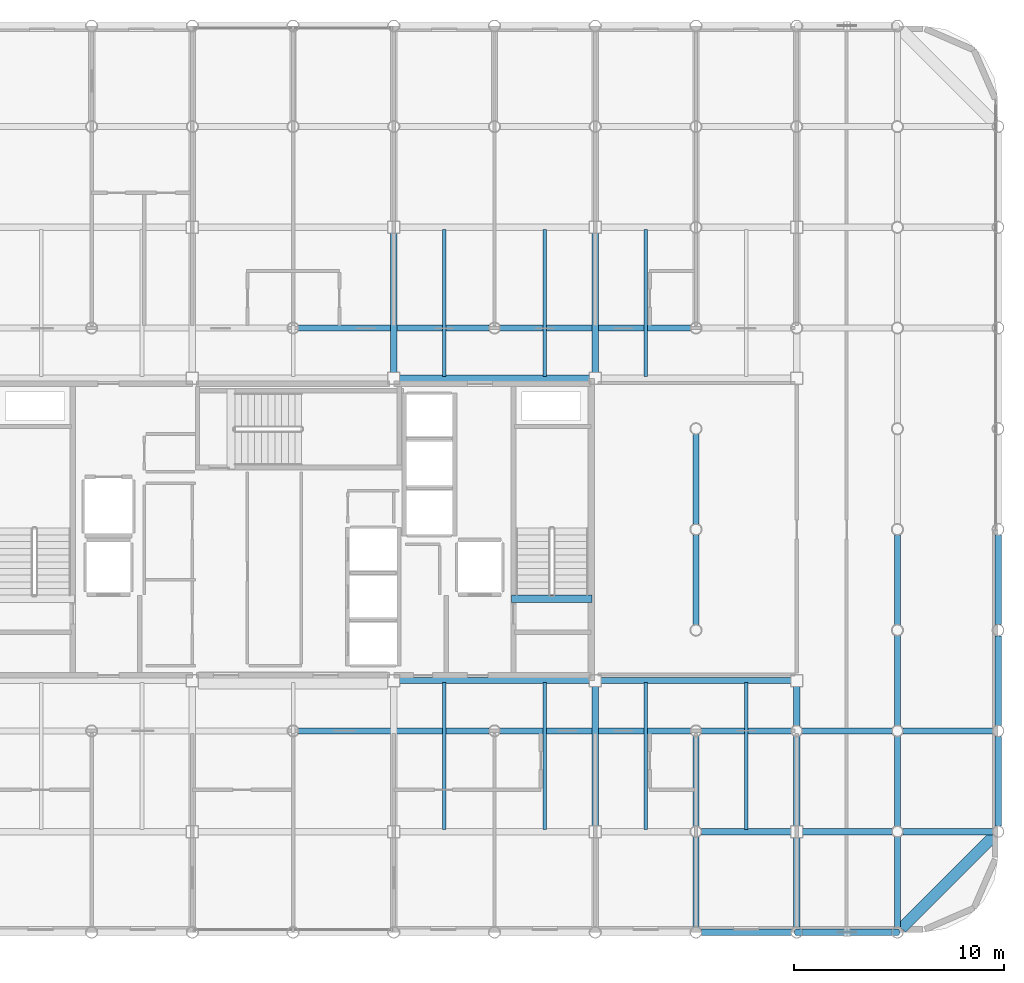
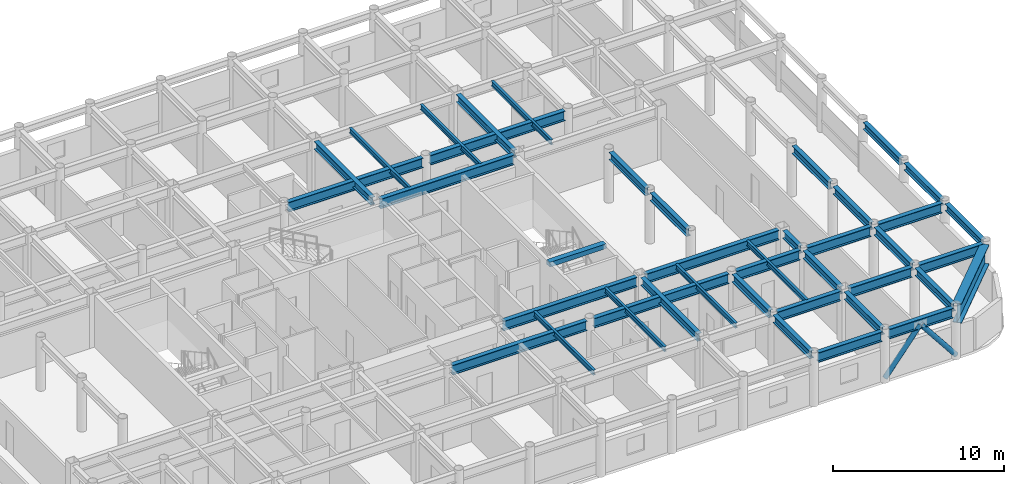
# One storey, part 9 of 23: 41 beams, 2 members.
"""IFC4 building model written with IfcOpenShell, lengths in metres."""

from ifc_helpers import new_model, si_unit, direction, frame, origin, origin_2d, place, context, subcontext, project, spatial, rectangle, hollow_circle, i_section, extrude, material, material_profile, profile_set, type_object, element, save


model = new_model("IFC4")

# Units and contexts
model_context = context("Model", 3, precision=1e-05, world=origin(), true_north=direction((0.0, 1.0)))
body_context = subcontext(model_context, "Body", "Model", "MODEL_VIEW")
ifc_project = project(units=[si_unit("LENGTHUNIT", "METRE"), si_unit("AREAUNIT", "SQUARE_METRE"), si_unit("VOLUMEUNIT", "CUBIC_METRE"), si_unit("PLANEANGLEUNIT", "RADIAN"), si_unit("MASSUNIT", "GRAM", prefix="KILO")], contexts=[model_context])

# Site, building, storey
site_placement = place(None, origin())
site = spatial("IfcSite", under=ifc_project, at=site_placement, CompositionType="ELEMENT")
building_placement = place(site_placement, origin())
building = spatial("IfcBuilding", under=site, at=building_placement, Name="Kallvorn Hotel Tower", CompositionType="ELEMENT")
storey_placement = place(building_placement, frame((0.0, 0.0, 237.699951171875)))
storey = spatial("IfcBuildingStorey", under=building, at=storey_placement, Name="L59", CompositionType="ELEMENT", Elevation=237.699951171875)

# Beams
ifc_material_1 = material(Name="Structural steel S355JR", Category="steel")
ifc_material_profile_1 = material_profile(ifc_material_1, i_section(OverallWidth=0.300048828125, OverallDepth=0.5, WebThickness=0.014404296875, FlangeThickness=0.028076171875, at=origin_2d()), Name="HE 500 B")
ifc_profile_set_1 = profile_set([ifc_material_profile_1], Name="Structural steel S355JR")
beam_type_1 = type_object("IfcBeamType", Name="BM_HE500B", PredefinedType="SPANDREL", material=ifc_profile_set_1)
beam_1_placement = place(storey_placement, frame((33.60009765625, -14.130615234375, 3.420166015625), z_axis=(0.0, 1.0, 0.0), x_axis=(-1.0, 0.0, 0.0)))
element("IfcBeam", 1, at=beam_1_placement, inside=storey, type_object=beam_type_1, Name="L60 Perimeter Spandrel 182", PredefinedType="SPANDREL", context=body_context, shape_type="SweptSolid", body=[
    extrude(i_section(OverallWidth=0.300048828125, OverallDepth=0.5, WebThickness=0.014404296875, FlangeThickness=0.028076171875, at=origin_2d()), origin(), (0.0, 0.0, 1.0), 4.26123046875),
])
for number, where, z_axis, x_axis, name in (
    (2, (33.60009765625, -9.33056640625, 3.420166015625), (0.0, 1.0, 0.0), (-1.0, 0.0, 0.0), "L60 Perimeter Spandrel 183"),
    (3, (33.60009765625, -4.530517578125, 3.420166015625), (0.0, 1.0, 0.0), (-1.0, 0.0, 0.0), "L60 Perimeter Spandrel 184"),
):
    element("IfcBeam", number, at=place(storey_placement, frame(where, z_axis=z_axis, x_axis=x_axis)), inside=storey, type_object=beam_type_1, Name=name, PredefinedType="SPANDREL", context=body_context, shape_type="SweptSolid", body=[
        extrude(i_section(OverallWidth=0.300048828125, OverallDepth=0.5, WebThickness=0.014404296875, FlangeThickness=0.028076171875, at=origin_2d()), origin(), (0.0, 0.0, 1.0), 4.260986328125),
    ])
ifc_material_2 = material(Name="Structural steel S355JR", Category="steel")
ifc_material_profile_2 = material_profile(ifc_material_2, i_section(OverallWidth=0.300048828125, OverallDepth=0.550048828125, WebThickness=0.014892578125, FlangeThickness=0.029052734375, at=origin_2d()), Name="HE 550 B")
ifc_profile_set_2 = profile_set([ifc_material_profile_2], Name="Structural steel S355JR")
beam_type_2 = type_object("IfcBeamType", Name="BM_HE550B", PredefinedType="SPANDREL", material=ifc_profile_set_2)
for number, where, z_axis, x_axis, name in (
    (4, (4.800048828125, 7.47509765625, 3.39501953125), (0.0, 1.0, 0.0), (-1.0, 0.0, 0.0), "L60 Primary Y-Girder 115"),
    (5, (14.39990234375, -14.125, 3.39501953125), (0.0, 1.0, 0.0), (-1.0, 0.0, 0.0), "L60 Primary Y-Girder 122"),
    (6, (14.39990234375, 7.47509765625, 3.39501953125), (0.0, 1.0, 0.0), (-1.0, 0.0, 0.0), "L60 Primary Y-Girder 123"),
):
    element("IfcBeam", number, at=place(storey_placement, frame(where, z_axis=z_axis, x_axis=x_axis)), inside=storey, type_object=beam_type_2, Name=name, PredefinedType="SPANDREL", context=body_context, shape_type="SweptSolid", body=[
        extrude(i_section(OverallWidth=0.300048828125, OverallDepth=0.550048828125, WebThickness=0.014892578125, FlangeThickness=0.029052734375, at=origin_2d()), origin(), (0.0, 0.0, 1.0), 6.64990234375),
    ])
for number, where, z_axis, x_axis, name in (
    (7, (19.199951171875, -18.945556640625, 3.39501953125), (0.0, 1.0, 0.0), (-1.0, 0.0, 0.0), "L60 Primary Y-Girder 126"),
    (8, (19.199951171875, -14.1455078125, 3.39501953125), (0.0, 1.0, 0.0), (-1.0, 0.0, 0.0), "L60 Primary Y-Girder 127"),
    (9, (19.199951171875, -4.54541015625, 3.39501953125), (0.0, 1.0, 0.0), (-1.0, 0.0, 0.0), "L60 Primary Y-Girder 129"),
    (10, (19.199951171875, 0.25439453125, 3.39501953125), (0.0, 1.0, 0.0), (-1.0, 0.0, 0.0), "L60 Primary Y-Girder 130"),
):
    element("IfcBeam", number, at=place(storey_placement, frame(where, z_axis=z_axis, x_axis=x_axis)), inside=storey, type_object=beam_type_2, Name=name, PredefinedType="SPANDREL", context=body_context, shape_type="SweptSolid", body=[
        extrude(i_section(OverallWidth=0.300048828125, OverallDepth=0.550048828125, WebThickness=0.014892578125, FlangeThickness=0.029052734375, at=origin_2d()), origin(), (0.0, 0.0, 1.0), 4.291015625),
    ])
for number, where, z_axis, x_axis, name in (
    (11, (24.0, -18.945556640625, 3.39501953125), (0.0, 1.0, 0.0), (-1.0, 0.0, 0.0), "L60 Primary Y-Girder 135"),
    (12, (24.0, -14.125, 3.39501953125), (0.0, 1.0, 0.0), (-1.0, 0.0, 0.0), "L60 Primary Y-Girder 136"),
):
    element("IfcBeam", number, at=place(storey_placement, frame(where, z_axis=z_axis, x_axis=x_axis)), inside=storey, type_object=beam_type_2, Name=name, PredefinedType="SPANDREL", context=body_context, shape_type="SweptSolid", body=[
        extrude(i_section(OverallWidth=0.300048828125, OverallDepth=0.550048828125, WebThickness=0.014892578125, FlangeThickness=0.029052734375, at=origin_2d()), origin(), (0.0, 0.0, 1.0), 4.2705078125),
    ])
beam_2_placement = place(storey_placement, frame((24.0, -9.345458984375, 3.39501953125), z_axis=(0.0, 1.0, 0.0), x_axis=(-1.0, 0.0, 0.0)))
element("IfcBeam", 13, at=beam_2_placement, inside=storey, type_object=beam_type_2, Name="L60 Primary Y-Girder 137", PredefinedType="SPANDREL", context=body_context, shape_type="SweptSolid", body=[
    extrude(i_section(OverallWidth=0.300048828125, OverallDepth=0.550048828125, WebThickness=0.014892578125, FlangeThickness=0.029052734375, at=origin_2d()), origin(), (0.0, 0.0, 1.0), 1.870361328125),
])
for number, where, z_axis, x_axis, name in (
    (14, (28.800048828125, -18.945556640625, 3.39501953125), (0.0, 1.0, 0.0), (-1.0, 0.0, 0.0), "L60 Primary Y-Girder 142"),
    (15, (28.800048828125, -14.1455078125, 3.39501953125), (0.0, 1.0, 0.0), (-1.0, 0.0, 0.0), "L60 Primary Y-Girder 143"),
    (16, (28.800048828125, -9.345458984375, 3.39501953125), (0.0, 1.0, 0.0), (-1.0, 0.0, 0.0), "L60 Primary Y-Girder 144"),
    (17, (28.800048828125, -4.54541015625, 3.39501953125), (0.0, 1.0, 0.0), (-1.0, 0.0, 0.0), "L60 Primary Y-Girder 145"),
):
    element("IfcBeam", number, at=place(storey_placement, frame(where, z_axis=z_axis, x_axis=x_axis)), inside=storey, type_object=beam_type_2, Name=name, PredefinedType="SPANDREL", context=body_context, shape_type="SweptSolid", body=[
        extrude(i_section(OverallWidth=0.300048828125, OverallDepth=0.550048828125, WebThickness=0.014892578125, FlangeThickness=0.029052734375, at=origin_2d()), origin(), (0.0, 0.0, 1.0), 4.291015625),
    ])
ifc_material_3 = material(Name="Structural steel S355JR", Category="steel")
ifc_material_profile_3 = material_profile(ifc_material_3, i_section(OverallWidth=0.300048828125, OverallDepth=0.699951171875, WebThickness=0.01708984375, FlangeThickness=0.031982421875, at=origin_2d()), Name="HE 700 B")
ifc_profile_set_3 = profile_set([ifc_material_profile_3], Name="Structural steel S355JR")
beam_type_3 = type_object("IfcBeamType", Name="BM_HE700B", PredefinedType="BEAM", material=ifc_profile_set_3)
for number, where, z_axis, x_axis, name in (
    (18, (19.45458984375, -19.199951171875, 3.320068359375), (1.0, 0.0, 0.0), (0.0, 1.0, 0.0), "L60 Primary X-Girder 11"),
    (19, (24.25439453125, -19.199951171875, 3.320068359375), (1.0, 0.0, 0.0), (0.0, 1.0, 0.0), "L60 Primary X-Girder 12"),
):
    element("IfcBeam", number, at=place(storey_placement, frame(where, z_axis=z_axis, x_axis=x_axis)), inside=storey, type_object=beam_type_3, Name=name, PredefinedType="BEAM", context=body_context, shape_type="SweptSolid", body=[
        extrude(i_section(OverallWidth=0.300048828125, OverallDepth=0.699951171875, WebThickness=0.01708984375, FlangeThickness=0.031982421875, at=origin_2d()), origin(), (0.0, 0.0, 1.0), 4.291015625),
    ])
for number, where, z_axis, x_axis, name in (
    (20, (19.45458984375, -14.39990234375, 3.320068359375), (1.0, 0.0, 0.0), (0.0, 1.0, 0.0), "L60 Primary X-Girder 20"),
    (21, (24.27490234375, -14.39990234375, 3.320068359375), (1.0, 0.0, 0.0), (0.0, 1.0, 0.0), "L60 Primary X-Girder 21"),
):
    element("IfcBeam", number, at=place(storey_placement, frame(where, z_axis=z_axis, x_axis=x_axis)), inside=storey, type_object=beam_type_3, Name=name, PredefinedType="BEAM", context=body_context, shape_type="SweptSolid", body=[
        extrude(i_section(OverallWidth=0.300048828125, OverallDepth=0.699951171875, WebThickness=0.01708984375, FlangeThickness=0.031982421875, at=origin_2d()), origin(), (0.0, 0.0, 1.0), 4.2705078125),
    ])
beam_3_placement = place(storey_placement, frame((29.054443359375, -14.39990234375, 3.320068359375), z_axis=(1.0, 0.0, 0.0), x_axis=(0.0, 1.0, 0.0)))
element("IfcBeam", 22, at=beam_3_placement, inside=storey, type_object=beam_type_3, Name="L60 Primary X-Girder 22", PredefinedType="BEAM", context=body_context, shape_type="SweptSolid", body=[
    extrude(i_section(OverallWidth=0.300048828125, OverallDepth=0.699951171875, WebThickness=0.01708984375, FlangeThickness=0.031982421875, at=origin_2d()), origin(), (0.0, 0.0, 1.0), 4.291015625),
])
for number, where, z_axis, x_axis, name in (
    (23, (0.25439453125, -9.60009765625, 3.320068359375), (1.0, 0.0, 0.0), (0.0, 1.0, 0.0), "L60 Primary X-Girder 27"),
    (24, (9.8544921875, -9.60009765625, 3.320068359375), (1.0, 0.0, 0.0), (0.0, 1.0, 0.0), "L60 Primary X-Girder 28"),
):
    element("IfcBeam", number, at=place(storey_placement, frame(where, z_axis=z_axis, x_axis=x_axis)), inside=storey, type_object=beam_type_3, Name=name, PredefinedType="BEAM", context=body_context, shape_type="SweptSolid", body=[
        extrude(i_section(OverallWidth=0.300048828125, OverallDepth=0.699951171875, WebThickness=0.01708984375, FlangeThickness=0.031982421875, at=origin_2d()), origin(), (0.0, 0.0, 1.0), 9.091064453125),
    ])
for number, where, z_axis, x_axis, name in (
    (25, (19.45458984375, -9.60009765625, 3.320068359375), (1.0, 0.0, 0.0), (0.0, 1.0, 0.0), "L60 Primary X-Girder 29"),
    (26, (24.25439453125, -9.60009765625, 3.320068359375), (1.0, 0.0, 0.0), (0.0, 1.0, 0.0), "L60 Primary X-Girder 30"),
    (27, (29.054443359375, -9.60009765625, 3.320068359375), (1.0, 0.0, 0.0), (0.0, 1.0, 0.0), "L60 Primary X-Girder 31"),
):
    element("IfcBeam", number, at=place(storey_placement, frame(where, z_axis=z_axis, x_axis=x_axis)), inside=storey, type_object=beam_type_3, Name=name, PredefinedType="BEAM", context=body_context, shape_type="SweptSolid", body=[
        extrude(i_section(OverallWidth=0.300048828125, OverallDepth=0.699951171875, WebThickness=0.01708984375, FlangeThickness=0.031982421875, at=origin_2d()), origin(), (0.0, 0.0, 1.0), 4.291015625),
    ])
for number, where, z_axis, x_axis, name in (
    (28, (5.074951171875, -7.199951171875, 3.320068359375), (1.0, 0.0, 0.0), (0.0, 1.0, 0.0), "L60 Primary X-Girder 34"),
    (29, (14.675048828125, -7.199951171875, 3.320068359375), (1.0, 0.0, 0.0), (0.0, 1.0, 0.0), "L60 Primary X-Girder 35"),
    (30, (5.074951171875, 7.199951171875, 3.320068359375), (1.0, 0.0, 0.0), (0.0, 1.0, 0.0), "L60 Primary X-Girder 39"),
):
    element("IfcBeam", number, at=place(storey_placement, frame(where, z_axis=z_axis, x_axis=x_axis)), inside=storey, type_object=beam_type_3, Name=name, PredefinedType="BEAM", context=body_context, shape_type="SweptSolid", body=[
        extrude(i_section(OverallWidth=0.300048828125, OverallDepth=0.699951171875, WebThickness=0.01708984375, FlangeThickness=0.031982421875, at=origin_2d()), origin(), (0.0, 0.0, 1.0), 9.050048828125),
    ])
for number, where, z_axis, x_axis, name in (
    (31, (0.25439453125, 9.60009765625, 3.320068359375), (1.0, 0.0, 0.0), (0.0, 1.0, 0.0), "L60 Primary X-Girder 45"),
    (32, (9.8544921875, 9.60009765625, 3.320068359375), (1.0, 0.0, 0.0), (0.0, 1.0, 0.0), "L60 Primary X-Girder 46"),
):
    element("IfcBeam", number, at=place(storey_placement, frame(where, z_axis=z_axis, x_axis=x_axis)), inside=storey, type_object=beam_type_3, Name=name, PredefinedType="BEAM", context=body_context, shape_type="SweptSolid", body=[
        extrude(i_section(OverallWidth=0.300048828125, OverallDepth=0.699951171875, WebThickness=0.01708984375, FlangeThickness=0.031982421875, at=origin_2d()), origin(), (0.0, 0.0, 1.0), 9.091064453125),
    ])
ifc_material_4 = material(Name="Structural steel S355JR", Category="steel")
ifc_material_profile_4 = material_profile(ifc_material_4, i_section(OverallWidth=0.169921875, OverallDepth=0.360107421875, WebThickness=0.008056640625, FlangeThickness=0.0126953125, at=origin_2d()), Name="IPE 360")
ifc_profile_set_4 = profile_set([ifc_material_profile_4], Name="Structural steel S355JR")
beam_type_4 = type_object("IfcBeamType", Name="BM_IPE360", PredefinedType="JOIST", material=ifc_profile_set_4)
for number, where, z_axis, x_axis, name in (
    (33, (7.199951171875, -14.300048828125, 3.489990234375), (0.0, 1.0, 0.0), (-1.0, 0.0, 0.0), "L60 Secondary Composite Joist 202"),
    (34, (7.199951171875, 7.300048828125, 3.489990234375), (0.0, 1.0, 0.0), (-1.0, 0.0, 0.0), "L60 Secondary Composite Joist 203"),
    (35, (12.0, -14.300048828125, 3.489990234375), (0.0, 1.0, 0.0), (-1.0, 0.0, 0.0), "L60 Secondary Composite Joist 204"),
    (36, (12.0, 7.300048828125, 3.489990234375), (0.0, 1.0, 0.0), (-1.0, 0.0, 0.0), "L60 Secondary Composite Joist 205"),
    (37, (16.800048828125, -14.300048828125, 3.489990234375), (0.0, 1.0, 0.0), (-1.0, 0.0, 0.0), "L60 Secondary Composite Joist 206"),
    (38, (16.800048828125, 7.300048828125, 3.489990234375), (0.0, 1.0, 0.0), (-1.0, 0.0, 0.0), "L60 Secondary Composite Joist 207"),
    (39, (21.60009765625, -14.300048828125, 3.489990234375), (0.0, 1.0, 0.0), (-1.0, 0.0, 0.0), "L60 Secondary Composite Joist 208"),
):
    element("IfcBeam", number, at=place(storey_placement, frame(where, z_axis=z_axis, x_axis=x_axis)), inside=storey, type_object=beam_type_4, Name=name, PredefinedType="JOIST", context=body_context, shape_type="SweptSolid", body=[
        extrude(i_section(OverallWidth=0.169921875, OverallDepth=0.360107421875, WebThickness=0.008056640625, FlangeThickness=0.0126953125, at=origin_2d()), origin(), (0.0, 0.0, 1.0), 7.0),
    ])
ifc_material_5 = material(Name="Structural steel S355JR", Category="steel")
ifc_material_profile_5 = material_profile(ifc_material_5, i_section(OverallWidth=0.550048828125, OverallDepth=1.39990234375, WebThickness=0.02490234375, FlangeThickness=0.044921875, at=origin_2d()), Name="PG 1400x550x25x45")
ifc_profile_set_5 = profile_set([ifc_material_profile_5], Name="Structural steel S355JR")
beam_type_5 = type_object("IfcBeamType", Name="BM_PG_1400", PredefinedType="BEAM", material=ifc_profile_set_5)
beam_4_placement = place(storey_placement, frame((33.409423828125, -14.590576171875, 2.969970703125), z_axis=(-0.707106781187, -0.707106781187, 0.0), x_axis=(0.707106781187, -0.707106781187, 0.0)))
element("IfcBeam", 40, at=beam_4_placement, inside=storey, type_object=beam_type_5, Name="L60 Rounded Corner Tie Beam 190", PredefinedType="BEAM", context=body_context, shape_type="SweptSolid", body=[
    extrude(i_section(OverallWidth=0.550048828125, OverallDepth=1.39990234375, WebThickness=0.02490234375, FlangeThickness=0.044921875, at=origin_2d()), origin(), (0.0, 0.0, 1.0), 6.249267578125),
])
ifc_material_6 = material(Name="Concrete C50/60", Category="concrete")
ifc_material_profile_6 = material_profile(ifc_material_6, rectangle(XDim=0.360107421875, YDim=0.340087890625, at=origin_2d()), Name="RC 360x340")
ifc_profile_set_6 = profile_set([ifc_material_profile_6], Name="Concrete C50/60")
beam_type_6 = type_object("IfcBeamType", Name="BM_RC_400x360", PredefinedType="BEAM", material=ifc_profile_set_6)
beam_5_placement = place(storey_placement, frame((14.239990234375, -3.31005859375, 3.5), z_axis=(-1.0, 0.0, 0.0), x_axis=(0.0, -1.0, 0.0)))
element("IfcBeam", 41, at=beam_5_placement, inside=storey, type_object=beam_type_6, Name="L60 Stair ST2 Arrival Trimmer Beam", PredefinedType="BEAM", context=body_context, shape_type="SweptSolid", body=[
    extrude(rectangle(XDim=0.360107421875, YDim=0.340087890625, at=origin_2d()), origin(), (0.0, 0.0, 1.0), 3.820068359375),
])

# Members
ifc_material_7 = material(Name="Structural steel S355J2H", Category="steel")
ifc_material_profile_7 = material_profile(ifc_material_7, hollow_circle(Radius=0.161865234375, WallThickness=0.012451171875, at=origin_2d()), Name="CHS 323.9x12.5")
ifc_profile_set_7 = profile_set([ifc_material_profile_7], Name="Structural steel S355J2H")
member_type = type_object("IfcMemberType", Name="MBR_EXO_CHS323", PredefinedType="BRACE", material=ifc_profile_set_7)
for number, where, z_axis, x_axis, name in (
    (42, (24.012451171875, -19.199951171875, 0.19580078125), (0.620928510901, 0.0, 0.783867198159), (0.0, 1.0, 0.0), "L59 Exoskeleton K-Brace S2A"),
    (43, (28.78759765625, -19.199951171875, 0.19580078125), (-0.620928510901, 0.0, 0.783867198159), (0.0, -1.0, 0.0), "L59 Exoskeleton K-Brace S2B"),
):
    element("IfcMember", number, at=place(storey_placement, frame(where, z_axis=z_axis, x_axis=x_axis)), inside=storey, type_object=member_type, Name=name, PredefinedType="BRACE", context=body_context, shape_type="SweptSolid", body=[
        extrude(hollow_circle(Radius=0.161865234375, WallThickness=0.012451171875, at=origin_2d()), origin(), (0.0, 0.0, 1.0), 3.8251953125),
    ])

save(model, "model.ifc")
